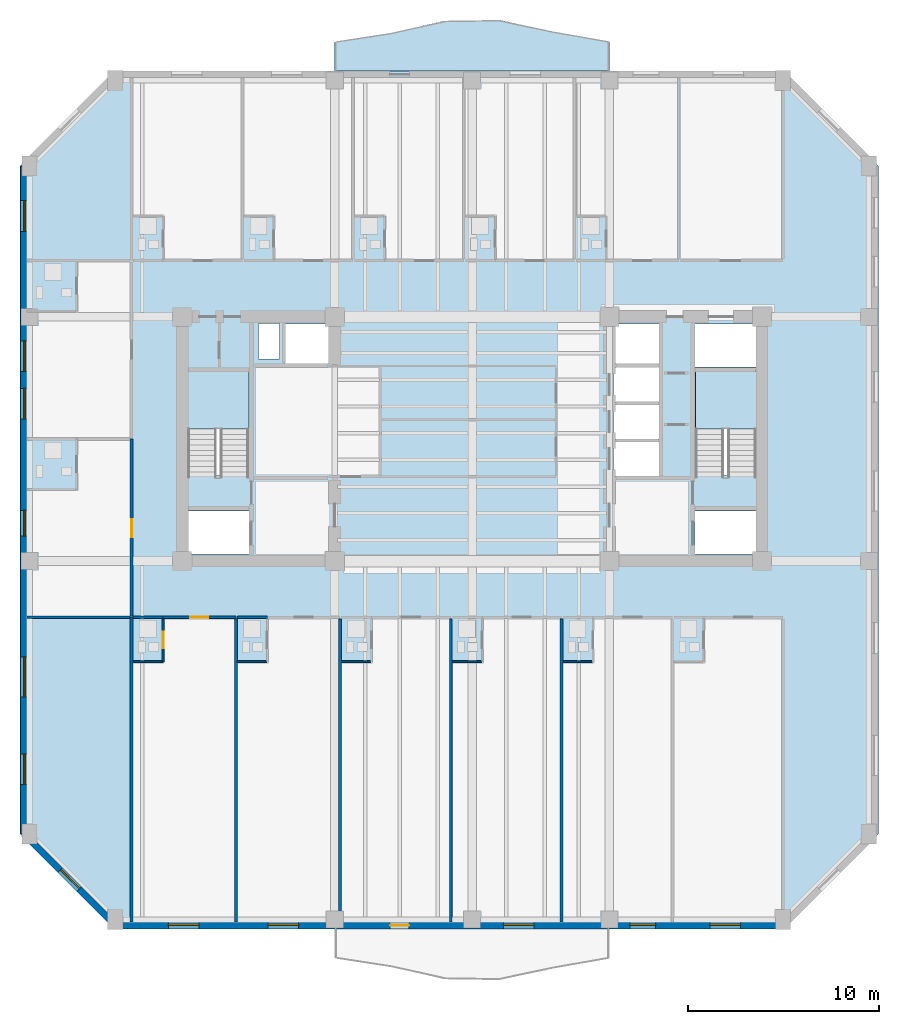
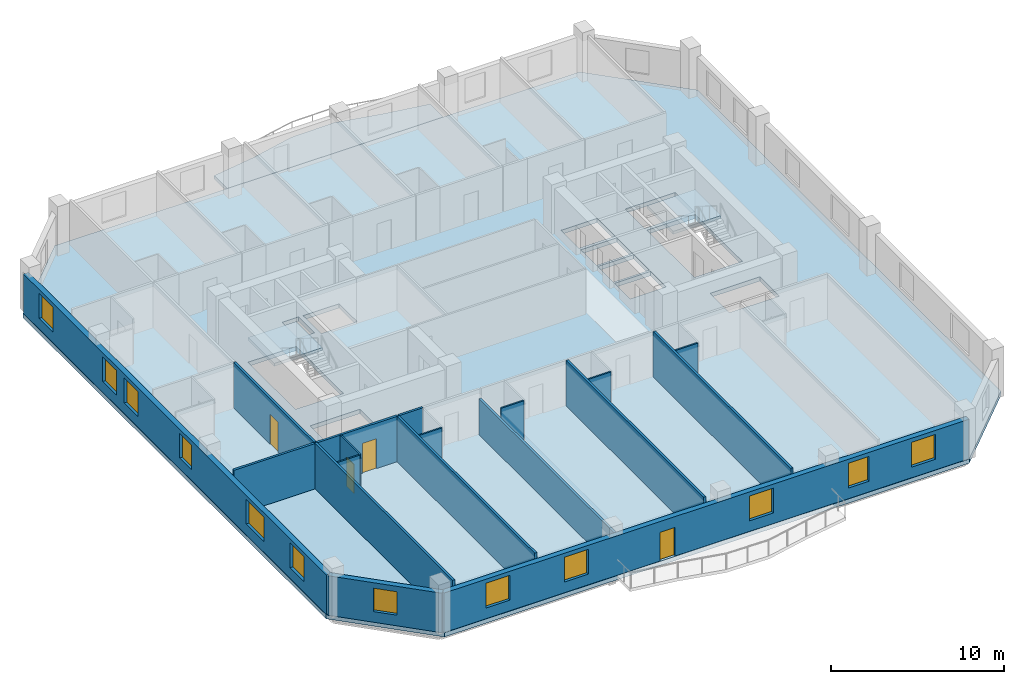
# One storey, part 2 of 11: 19 walls, 12 windows, 4 doors, 4 slabs, 16 openings, 2 elements without a shape of their own.
"""IFC4 building model written with IfcOpenShell, lengths in metres."""

from ifc_helpers import new_model, si_unit, direction, frame, frame_2d, origin, place, context, subcontext, project, spatial, polyline, rectangle, outline, extrude, material, layer, layer_set, type_object, element, fill, aggregate, save


model = new_model("IFC4")

# Units and contexts
model_context = context("Model", 3, precision=1e-05, world=origin(), true_north=direction((0.0, 1.0)))
body_context = subcontext(model_context, "Body", "Model", "MODEL_VIEW")
ifc_project = project(units=[si_unit("LENGTHUNIT", "METRE"), si_unit("AREAUNIT", "SQUARE_METRE"), si_unit("VOLUMEUNIT", "CUBIC_METRE"), si_unit("PLANEANGLEUNIT", "RADIAN"), si_unit("MASSUNIT", "GRAM", prefix="KILO")], contexts=[model_context])

# Site, building, storey
site_placement = place(None, origin())
site = spatial("IfcSite", under=ifc_project, at=site_placement, CompositionType="ELEMENT")
building_placement = place(site_placement, origin())
building = spatial("IfcBuilding", under=site, at=building_placement, Name="Kranthara Brick Stack", CompositionType="ELEMENT")
storey_placement = place(building_placement, frame((0.0, 0.0, 130.800048828125)))
storey = spatial("IfcBuildingStorey", under=building, at=storey_placement, Name="L32", CompositionType="ELEMENT", Elevation=130.800048828125)

# Slab
ifc_material_1 = material(Name="Concrete C45/55", Category="concrete")
ifc_layer_1 = layer(ifc_material_1, 0.219970703125)
ifc_layer_set_1 = layer_set([ifc_layer_1], Name="Concrete C45/55")
slab_type_1 = type_object("IfcSlabType", Name="SLB-BALC-220", PredefinedType="FLOOR", material=ifc_layer_set_1)
slab_1_placement = place(storey_placement, frame((0.0, 0.0, -0.219970703125)))
element("IfcSlab", 1, at=slab_1_placement, inside=storey, type_object=slab_type_1, Name="L32 North Rippling Balcony Slab", PredefinedType="FLOOR", context=body_context, shape_type="SweptSolid", body=[
    extrude(outline(polyline([(35.199951171875, 46.5), (20.800048828125, 46.5), (20.800048828125, 48.00341796875), (23.679931640625, 48.454833984375), (26.56005859375, 49.120361328125), (29.43994140625, 49.162841796875), (32.320068359375, 48.52880859375), (35.199951171875, 48.015869140625), (35.199951171875, 46.5)])), origin(), (0.0, 0.0, 1.0), 0.219970703125),
])

# Stair, slab
ifc_material_2 = material(Name="Concrete C45/55", Category="concrete")
stair_type = type_object("IfcStairType", Name="ST-CORE-20R", PredefinedType="HALF_TURN_STAIR", material=ifc_material_2)
stair_1_placement = place(storey_placement, origin())
stair_1 = element("IfcStair", 2, at=stair_1_placement, inside=storey, type_object=stair_type, Name="L32 West Core Protected Exit Stair ST01", PredefinedType="HALF_TURN_STAIR")
ifc_material_3 = material(Name="Concrete C45/55", Category="concrete")
ifc_layer_2 = layer(ifc_material_3, 0.199951171875)
ifc_layer_set_2 = layer_set([ifc_layer_2], Name="Concrete C45/55")
slab_type_2 = type_object("IfcSlabType", Name="SLB-LANDING-200", PredefinedType="LANDING", material=ifc_layer_set_2)
slab_2_placement = place(storey_placement, frame((0.0, 0.0, 1.550048828125)))
slab_2 = element("IfcSlab", 3, at=slab_2_placement, type_object=slab_type_2, Name="ST01 landing 1", PredefinedType="LANDING", context=body_context, shape_type="SweptSolid", body=[
    extrude(outline(polyline([(16.300048828125, 27.719970703125), (16.300048828125, 30.75), (13.10009765625, 30.75), (13.10009765625, 27.719970703125), (16.300048828125, 27.719970703125)])), origin(), (0.0, 0.0, 1.0), 0.199951171875),
])
aggregate(stair_1, [slab_2])

stair_2_placement = place(storey_placement, origin())
stair_2 = element("IfcStair", 4, at=stair_2_placement, inside=storey, type_object=stair_type, Name="L32 East Core Protected Exit Stair ST02", PredefinedType="HALF_TURN_STAIR")
slab_3_placement = place(storey_placement, frame((0.0, 0.0, 1.550048828125)))
slab_3 = element("IfcSlab", 5, at=slab_3_placement, type_object=slab_type_2, Name="ST02 landing 1", PredefinedType="LANDING", context=body_context, shape_type="SweptSolid", body=[
    extrude(outline(polyline([(42.89990234375, 27.719970703125), (42.89990234375, 30.75), (39.699951171875, 30.75), (39.699951171875, 27.719970703125), (42.89990234375, 27.719970703125)])), origin(), (0.0, 0.0, 1.0), 0.199951171875),
])
aggregate(stair_2, [slab_3])

# Slab
ifc_material_4 = material(Name="Post-tensioned concrete C45/55", Category="concrete")
ifc_layer_3 = layer(ifc_material_4, 0.300048828125)
ifc_layer_set_3 = layer_set([ifc_layer_3], Name="Post-tensioned concrete C45/55")
slab_type_3 = type_object("IfcSlabType", Name="SLB-TWR-300", PredefinedType="FLOOR", material=ifc_layer_set_3)
slab_4_placement = place(storey_placement, frame((0.0, 0.0, -0.300048828125)))
element("IfcSlab", 6, at=slab_4_placement, inside=storey, type_object=slab_type_3, Name="L32 Structural Floor Plate", PredefinedType="FLOOR", context=body_context, shape_type="SweptSolid", body=[
    extrude(outline(polyline([(9.300048828125, 1.5), (44.300048828125, 1.5), (49.300048828125, 6.5), (49.300048828125, 41.5), (44.300048828125, 46.5), (9.300048828125, 46.5), (4.300048828125, 41.5), (4.300048828125, 6.5), (9.300048828125, 1.5)]), holes=[polyline([(13.10009765625, 25.280029296875), (16.300048828125, 25.280029296875), (16.300048828125, 30.75), (13.10009765625, 30.75), (13.10009765625, 25.280029296875)]), polyline([(39.699951171875, 25.280029296875), (42.89990234375, 25.280029296875), (42.89990234375, 30.75), (39.699951171875, 30.75), (39.699951171875, 25.280029296875)]), polyline([(13.0, 21.179931640625), (16.320068359375, 21.179931640625), (16.320068359375, 23.419921875), (13.0, 23.419921875), (13.0, 21.179931640625)]), polyline([(39.679931640625, 21.179931640625), (43.0, 21.179931640625), (43.0, 23.419921875), (39.679931640625, 23.419921875), (39.679931640625, 21.179931640625)]), polyline([(39.679931640625, 30.97998046875), (43.0, 30.97998046875), (43.0, 33.219970703125), (39.679931640625, 33.219970703125), (39.679931640625, 30.97998046875)]), polyline([(35.39990234375, 25.25), (37.800048828125, 25.25), (37.800048828125, 27.050048828125), (35.39990234375, 27.050048828125), (35.39990234375, 25.25)]), polyline([(35.39990234375, 27.199951171875), (37.800048828125, 27.199951171875), (37.800048828125, 29.0), (35.39990234375, 29.0), (35.39990234375, 27.199951171875)]), polyline([(35.39990234375, 29.14990234375), (37.800048828125, 29.14990234375), (37.800048828125, 30.949951171875), (35.39990234375, 30.949951171875), (35.39990234375, 29.14990234375)]), polyline([(18.199951171875, 31.14990234375), (20.60009765625, 31.14990234375), (20.60009765625, 33.219970703125), (18.199951171875, 33.219970703125), (18.199951171875, 31.14990234375)]), polyline([(35.39990234375, 31.14990234375), (37.800048828125, 31.14990234375), (37.800048828125, 33.219970703125), (35.39990234375, 33.219970703125), (35.39990234375, 31.14990234375)]), polyline([(16.800048828125, 31.39990234375), (17.89990234375, 31.39990234375), (17.89990234375, 33.25), (16.800048828125, 33.25), (16.800048828125, 31.39990234375)])]), origin(), (0.0, 0.0, 1.0), 0.300048828125),
])

# Wall, openings, door, windows
ifc_material_5 = material(Name="Kiln-fired clay brick masonry M15", Category="masonry")
ifc_layer_4 = layer(ifc_material_5, 0.35009765625)
ifc_layer_set_4 = layer_set([ifc_layer_4], Name="Kiln-fired clay brick masonry M15")
wall_type_1 = type_object("IfcWallType", Name="WL-BRK-SPND-350", PredefinedType="STANDARD", material=ifc_layer_set_4)
wall_1_placement = place(storey_placement, frame((44.300048828125, 1.695068359375, 0.0), z_axis=(0.0, 0.0, 1.0), x_axis=(-1.0, 0.0, 0.0)))
wall_1 = element("IfcWall", 7, at=wall_1_placement, inside=storey, type_object=wall_type_1, Name="L32 Exterior Brick Facade Wall SOUTH 1", PredefinedType="STANDARD", context=body_context, shape_type="SweptSolid", body=[
    extrude(rectangle(XDim=35.0, YDim=0.35009765625, at=frame_2d((17.5, 0.0))), origin(), (0.0, 0.0, 1.0), 2.784912109375),
])
opening_1_placement = place(wall_1_placement, frame((19.60009765625, 0.0, 0.0)))
opening_1 = element("IfcOpeningElement", 8, at=opening_1_placement, cuts=wall_1, Name="Opening D03", PredefinedType="OPENING", context=body_context, shape_type="SweptSolid", body=[
    extrude(rectangle(XDim=1.0, YDim=2.02001953125, at=frame_2d((0.5, 1.010009765625))), frame((0.0, 0.18505859375, 0.0), z_axis=(0.0, -1.0, 0.0), x_axis=(1.0, 0.0, 0.0)), (0.0, 0.0, 1.0), 0.3701171875),
])
opening_2_placement = place(wall_1_placement, frame((2.239990234375, 0.0, 0.75)))
opening_2 = element("IfcOpeningElement", 9, at=opening_2_placement, cuts=wall_1, Name="Opening WN04", PredefinedType="OPENING", context=body_context, shape_type="SweptSolid", body=[
    extrude(rectangle(XDim=1.60009765625, YDim=1.75, at=frame_2d((0.800048828125, 0.875))), frame((0.0, 0.18505859375, 0.0), z_axis=(0.0, -1.0, 0.0), x_axis=(1.0, 0.0, 0.0)), (0.0, 0.0, 1.0), 0.3701171875),
])
opening_3_placement = place(wall_1_placement, frame((6.677978515625, 0.0, 0.75)))
opening_3 = element("IfcOpeningElement", 10, at=opening_3_placement, cuts=wall_1, Name="Opening WN06", PredefinedType="OPENING", context=body_context, shape_type="SweptSolid", body=[
    extrude(rectangle(XDim=1.35009765625, YDim=1.75, at=frame_2d((0.675048828125, 0.875))), frame((0.0, 0.18505859375, 0.0), z_axis=(0.0, -1.0, 0.0), x_axis=(1.0, 0.0, 0.0)), (0.0, 0.0, 1.0), 0.3701171875),
])
opening_4_placement = place(wall_1_placement, frame((13.054931640625, 0.0, 0.75)))
opening_4 = element("IfcOpeningElement", 11, at=opening_4_placement, cuts=wall_1, Name="Opening WN04", PredefinedType="OPENING", context=body_context, shape_type="SweptSolid", body=[
    extrude(rectangle(XDim=1.60009765625, YDim=1.75, at=frame_2d((0.800048828125, 0.875))), frame((0.0, 0.18505859375, 0.0), z_axis=(0.0, -1.0, 0.0), x_axis=(1.0, 0.0, 0.0)), (0.0, 0.0, 1.0), 0.3701171875),
])
opening_5_placement = place(wall_1_placement, frame((25.39306640625, 0.0, 0.75)))
opening_5 = element("IfcOpeningElement", 12, at=opening_5_placement, cuts=wall_1, Name="Opening WN04", PredefinedType="OPENING", context=body_context, shape_type="SweptSolid", body=[
    extrude(rectangle(XDim=1.60009765625, YDim=1.75, at=frame_2d((0.800048828125, 0.875))), frame((0.0, 0.18505859375, 0.0), z_axis=(0.0, -1.0, 0.0), x_axis=(1.0, 0.0, 0.0)), (0.0, 0.0, 1.0), 0.3701171875),
])
opening_6_placement = place(wall_1_placement, frame((30.617919921875, 0.0, 0.75)))
opening_6 = element("IfcOpeningElement", 13, at=opening_6_placement, cuts=wall_1, Name="Opening WN04", PredefinedType="OPENING", context=body_context, shape_type="SweptSolid", body=[
    extrude(rectangle(XDim=1.60009765625, YDim=1.75, at=frame_2d((0.800048828125, 0.875))), frame((0.0, 0.18505859375, 0.0), z_axis=(0.0, -1.0, 0.0), x_axis=(1.0, 0.0, 0.0)), (0.0, 0.0, 1.0), 0.3701171875),
])
ifc_material_6 = material(Name="Bronze anodised aluminium and laminated glass", Category="aluminium")
door_type_1 = type_object("IfcDoorType", Name="DR-BALC-1000", OperationType="NOTDEFINED", PredefinedType="DOOR", material=ifc_material_6)
door_1_placement = place(opening_1_placement, origin())
door_1 = element("IfcDoor", 14, at=door_1_placement, inside=storey, type_object=door_type_1, Name="L32 South Balcony Terrace Door", OperationType="SINGLE_SWING_LEFT", OverallHeight=2.02001953125, OverallWidth=1.0, PredefinedType="DOOR", context=body_context, shape_type="SweptSolid", body=[
    extrude(rectangle(XDim=1.0, YDim=2.02001953125, at=frame_2d((0.5, 1.010009765625))), frame((0.0, 0.02490234375, 0.0), z_axis=(0.0, -1.0, 0.0), x_axis=(1.0, 0.0, 0.0)), (0.0, 0.0, 1.0), 0.050048828125),
])
fill(opening_1, door_1)
ifc_material_7 = material(Name="Double-glazed low-E solar control glass", Category="glass")
window_type_1 = type_object("IfcWindowType", Name="WN-HTL-1350x1850", PartitioningType="SINGLE_PANEL", PredefinedType="WINDOW", material=ifc_material_7)
window_1_placement = place(opening_3_placement, origin())
window_1 = element("IfcWindow", 15, at=window_1_placement, inside=storey, type_object=window_type_1, Name="L32 South Deep-Set Brick Window 02", OverallHeight=1.75, OverallWidth=1.35009765625, PartitioningType="SINGLE_PANEL", PredefinedType="WINDOW", context=body_context, shape_type="SweptSolid", body=[
    extrude(rectangle(XDim=1.35009765625, YDim=1.75, at=frame_2d((0.675048828125, 0.875))), frame((0.0, -0.010009765625, 0.0), z_axis=(0.0, -1.0, 0.0), x_axis=(1.0, 0.0, 0.0)), (0.0, 0.0, 1.0), 0.06005859375),
])
fill(opening_3, window_1)
ifc_material_8 = material(Name="Double-glazed low-E solar control glass", Category="glass")
window_type_2 = type_object("IfcWindowType", Name="WN-HTL-1600x1850", PartitioningType="DOUBLE_PANEL_VERTICAL", PredefinedType="WINDOW", material=ifc_material_8)
window_2_placement = place(opening_2_placement, origin())
window_2 = element("IfcWindow", 16, at=window_2_placement, inside=storey, type_object=window_type_2, Name="L32 South Deep-Set Brick Window 01", OverallHeight=1.75, OverallWidth=1.60009765625, PartitioningType="SINGLE_PANEL", PredefinedType="WINDOW", context=body_context, shape_type="SweptSolid", body=[
    extrude(rectangle(XDim=1.60009765625, YDim=1.75, at=frame_2d((0.800048828125, 0.875))), frame((0.0, -0.010009765625, 0.0), z_axis=(0.0, -1.0, 0.0), x_axis=(1.0, 0.0, 0.0)), (0.0, 0.0, 1.0), 0.06005859375),
])
fill(opening_2, window_2)
window_3_placement = place(opening_4_placement, origin())
window_3 = element("IfcWindow", 17, at=window_3_placement, inside=storey, type_object=window_type_2, Name="L32 South Deep-Set Brick Window 03", OverallHeight=1.75, OverallWidth=1.60009765625, PartitioningType="SINGLE_PANEL", PredefinedType="WINDOW", context=body_context, shape_type="SweptSolid", body=[
    extrude(rectangle(XDim=1.60009765625, YDim=1.75, at=frame_2d((0.800048828125, 0.875))), frame((0.0, -0.010009765625, 0.0), z_axis=(0.0, -1.0, 0.0), x_axis=(1.0, 0.0, 0.0)), (0.0, 0.0, 1.0), 0.06005859375),
])
fill(opening_4, window_3)
window_4_placement = place(opening_5_placement, origin())
window_4 = element("IfcWindow", 18, at=window_4_placement, inside=storey, type_object=window_type_2, Name="L32 South Deep-Set Brick Window 04", OverallHeight=1.75, OverallWidth=1.60009765625, PartitioningType="SINGLE_PANEL", PredefinedType="WINDOW", context=body_context, shape_type="SweptSolid", body=[
    extrude(rectangle(XDim=1.60009765625, YDim=1.75, at=frame_2d((0.800048828125, 0.875))), frame((0.0, -0.010009765625, 0.0), z_axis=(0.0, -1.0, 0.0), x_axis=(1.0, 0.0, 0.0)), (0.0, 0.0, 1.0), 0.06005859375),
])
fill(opening_5, window_4)
window_5_placement = place(opening_6_placement, origin())
window_5 = element("IfcWindow", 19, at=window_5_placement, inside=storey, type_object=window_type_2, Name="L32 South Deep-Set Brick Window 05", OverallHeight=1.75, OverallWidth=1.60009765625, PartitioningType="SINGLE_PANEL", PredefinedType="WINDOW", context=body_context, shape_type="SweptSolid", body=[
    extrude(rectangle(XDim=1.60009765625, YDim=1.75, at=frame_2d((0.800048828125, 0.875))), frame((0.0, -0.010009765625, 0.0), z_axis=(0.0, -1.0, 0.0), x_axis=(1.0, 0.0, 0.0)), (0.0, 0.0, 1.0), 0.06005859375),
])
fill(opening_6, window_5)

# Wall, opening, window
wall_2_placement = place(storey_placement, frame((9.300048828125, 1.695068359375, 0.0), z_axis=(0.0, 0.0, 1.0), x_axis=(-0.707106781187, 0.707106781187, 0.0)))
wall_2 = element("IfcWall", 20, at=wall_2_placement, inside=storey, type_object=wall_type_1, Name="L32 Exterior Brick Facade Wall SW 1", PredefinedType="STANDARD", context=body_context, shape_type="SweptSolid", body=[
    extrude(rectangle(XDim=6.795166015625, YDim=0.35009765625, at=frame_2d((3.3974609375, 0.0))), origin(), (0.0, 0.0, 1.0), 2.784912109375),
])
opening_7_placement = place(wall_2_placement, frame((2.697998046875, 0.0, 0.75)))
opening_7 = element("IfcOpeningElement", 21, at=opening_7_placement, cuts=wall_2, Name="Opening WN10", PredefinedType="OPENING", context=body_context, shape_type="SweptSolid", body=[
    extrude(rectangle(XDim=1.39990234375, YDim=1.64990234375, at=frame_2d((0.699951171875, 0.824951171875))), frame((0.0, 0.18505859375, 0.0), z_axis=(0.0, -1.0, 0.0), x_axis=(1.0, 0.0, 0.0)), (0.0, 0.0, 1.0), 0.3701171875),
])
ifc_material_9 = material(Name="Double-glazed low-E solar control glass", Category="glass")
window_type_3 = type_object("IfcWindowType", Name="WN-CHM-1400x1750", PartitioningType="SINGLE_PANEL", PredefinedType="WINDOW", material=ifc_material_9)
window_6_placement = place(opening_7_placement, origin())
window_6 = element("IfcWindow", 22, at=window_6_placement, inside=storey, type_object=window_type_3, Name="L32 SW Chamfer Corner Window", OverallHeight=1.64990234375, OverallWidth=1.39990234375, PartitioningType="SINGLE_PANEL", PredefinedType="WINDOW", context=body_context, shape_type="SweptSolid", body=[
    extrude(rectangle(XDim=1.39990234375, YDim=1.64990234375, at=frame_2d((0.699951171875, 0.824951171875))), frame((0.0, -0.010009765625, 0.0), z_axis=(0.0, -1.0, 0.0), x_axis=(1.0, 0.0, 0.0)), (0.0, 0.0, 1.0), 0.06005859375),
])
fill(opening_7, window_6)

# Wall, openings, windows
wall_3_placement = place(storey_placement, frame((4.4951171875, 6.5, 0.0), z_axis=(0.0, 0.0, 1.0), x_axis=(0.0, 1.0, 0.0)))
wall_3 = element("IfcWall", 23, at=wall_3_placement, inside=storey, type_object=wall_type_1, Name="L32 Exterior Brick Facade Wall WEST 1", PredefinedType="STANDARD", context=body_context, shape_type="SweptSolid", body=[
    extrude(rectangle(XDim=35.0, YDim=0.35009765625, at=frame_2d((17.5, 0.0))), origin(), (0.0, 0.0, 1.0), 2.784912109375),
])
opening_8_placement = place(wall_3_placement, frame((2.594970703125, 0.0, 0.75)))
opening_8 = element("IfcOpeningElement", 24, at=opening_8_placement, cuts=wall_3, Name="Opening WN04", PredefinedType="OPENING", context=body_context, shape_type="SweptSolid", body=[
    extrude(rectangle(XDim=1.60009765625, YDim=1.75, at=frame_2d((0.800048828125, 0.875))), frame((0.0, 0.18505859375, 0.0), z_axis=(0.0, -1.0, 0.0), x_axis=(1.0, 0.0, 0.0)), (0.0, 0.0, 1.0), 0.3701171875),
])
opening_9_placement = place(wall_3_placement, frame((7.180908203125, 0.0, 0.75)))
opening_9 = element("IfcOpeningElement", 25, at=opening_9_placement, cuts=wall_3, Name="Opening WN05", PredefinedType="OPENING", context=body_context, shape_type="SweptSolid", body=[
    extrude(rectangle(XDim=2.10009765625, YDim=1.75, at=frame_2d((1.050048828125, 0.875))), frame((0.0, 0.18505859375, 0.0), z_axis=(0.0, -1.0, 0.0), x_axis=(1.0, 0.0, 0.0)), (0.0, 0.0, 1.0), 0.3701171875),
])
opening_10_placement = place(wall_3_placement, frame((15.60009765625, 0.0, 0.75)))
opening_10 = element("IfcOpeningElement", 26, at=opening_10_placement, cuts=wall_3, Name="Opening WN06", PredefinedType="OPENING", context=body_context, shape_type="SweptSolid", body=[
    extrude(rectangle(XDim=1.35009765625, YDim=1.75, at=frame_2d((0.675048828125, 0.875))), frame((0.0, 0.18505859375, 0.0), z_axis=(0.0, -1.0, 0.0), x_axis=(1.0, 0.0, 0.0)), (0.0, 0.0, 1.0), 0.3701171875),
])
opening_11_placement = place(wall_3_placement, frame((21.751953125, 0.0, 0.75)))
opening_11 = element("IfcOpeningElement", 27, at=opening_11_placement, cuts=wall_3, Name="Opening WN04", PredefinedType="OPENING", context=body_context, shape_type="SweptSolid", body=[
    extrude(rectangle(XDim=1.60009765625, YDim=1.75, at=frame_2d((0.800048828125, 0.875))), frame((0.0, 0.18505859375, 0.0), z_axis=(0.0, -1.0, 0.0), x_axis=(1.0, 0.0, 0.0)), (0.0, 0.0, 1.0), 0.3701171875),
])
opening_12_placement = place(wall_3_placement, frame((24.248046875, 0.0, 0.75)))
opening_12 = element("IfcOpeningElement", 28, at=opening_12_placement, cuts=wall_3, Name="Opening WN04", PredefinedType="OPENING", context=body_context, shape_type="SweptSolid", body=[
    extrude(rectangle(XDim=1.60009765625, YDim=1.75, at=frame_2d((0.800048828125, 0.875))), frame((0.0, 0.18505859375, 0.0), z_axis=(0.0, -1.0, 0.0), x_axis=(1.0, 0.0, 0.0)), (0.0, 0.0, 1.0), 0.3701171875),
])
opening_13_placement = place(wall_3_placement, frame((31.587890625, 0.0, 0.75)))
opening_13 = element("IfcOpeningElement", 29, at=opening_13_placement, cuts=wall_3, Name="Opening WN04", PredefinedType="OPENING", context=body_context, shape_type="SweptSolid", body=[
    extrude(rectangle(XDim=1.60009765625, YDim=1.75, at=frame_2d((0.800048828125, 0.875))), frame((0.0, 0.18505859375, 0.0), z_axis=(0.0, -1.0, 0.0), x_axis=(1.0, 0.0, 0.0)), (0.0, 0.0, 1.0), 0.3701171875),
])
window_7_placement = place(opening_10_placement, origin())
window_7 = element("IfcWindow", 30, at=window_7_placement, inside=storey, type_object=window_type_1, Name="L32 West Deep-Set Brick Window 03", OverallHeight=1.75, OverallWidth=1.35009765625, PartitioningType="SINGLE_PANEL", PredefinedType="WINDOW", context=body_context, shape_type="SweptSolid", body=[
    extrude(rectangle(XDim=1.35009765625, YDim=1.75, at=frame_2d((0.675048828125, 0.875))), frame((0.0, -0.010009765625, 0.0), z_axis=(0.0, -1.0, 0.0), x_axis=(1.0, 0.0, 0.0)), (0.0, 0.0, 1.0), 0.06005859375),
])
fill(opening_10, window_7)
window_8_placement = place(opening_8_placement, origin())
window_8 = element("IfcWindow", 31, at=window_8_placement, inside=storey, type_object=window_type_2, Name="L32 West Deep-Set Brick Window 01", OverallHeight=1.75, OverallWidth=1.60009765625, PartitioningType="SINGLE_PANEL", PredefinedType="WINDOW", context=body_context, shape_type="SweptSolid", body=[
    extrude(rectangle(XDim=1.60009765625, YDim=1.75, at=frame_2d((0.800048828125, 0.875))), frame((0.0, -0.010009765625, 0.0), z_axis=(0.0, -1.0, 0.0), x_axis=(1.0, 0.0, 0.0)), (0.0, 0.0, 1.0), 0.06005859375),
])
fill(opening_8, window_8)
window_9_placement = place(opening_11_placement, origin())
window_9 = element("IfcWindow", 32, at=window_9_placement, inside=storey, type_object=window_type_2, Name="L32 West Deep-Set Brick Window 04", OverallHeight=1.75, OverallWidth=1.60009765625, PartitioningType="SINGLE_PANEL", PredefinedType="WINDOW", context=body_context, shape_type="SweptSolid", body=[
    extrude(rectangle(XDim=1.60009765625, YDim=1.75, at=frame_2d((0.800048828125, 0.875))), frame((0.0, -0.010009765625, 0.0), z_axis=(0.0, -1.0, 0.0), x_axis=(1.0, 0.0, 0.0)), (0.0, 0.0, 1.0), 0.06005859375),
])
fill(opening_11, window_9)
window_10_placement = place(opening_12_placement, origin())
window_10 = element("IfcWindow", 33, at=window_10_placement, inside=storey, type_object=window_type_2, Name="L32 West Deep-Set Brick Window 05", OverallHeight=1.75, OverallWidth=1.60009765625, PartitioningType="SINGLE_PANEL", PredefinedType="WINDOW", context=body_context, shape_type="SweptSolid", body=[
    extrude(rectangle(XDim=1.60009765625, YDim=1.75, at=frame_2d((0.800048828125, 0.875))), frame((0.0, -0.010009765625, 0.0), z_axis=(0.0, -1.0, 0.0), x_axis=(1.0, 0.0, 0.0)), (0.0, 0.0, 1.0), 0.06005859375),
])
fill(opening_12, window_10)
window_11_placement = place(opening_13_placement, origin())
window_11 = element("IfcWindow", 34, at=window_11_placement, inside=storey, type_object=window_type_2, Name="L32 West Deep-Set Brick Window 06", OverallHeight=1.75, OverallWidth=1.60009765625, PartitioningType="SINGLE_PANEL", PredefinedType="WINDOW", context=body_context, shape_type="SweptSolid", body=[
    extrude(rectangle(XDim=1.60009765625, YDim=1.75, at=frame_2d((0.800048828125, 0.875))), frame((0.0, -0.010009765625, 0.0), z_axis=(0.0, -1.0, 0.0), x_axis=(1.0, 0.0, 0.0)), (0.0, 0.0, 1.0), 0.06005859375),
])
fill(opening_13, window_11)
ifc_material_10 = material(Name="Double-glazed low-E solar control glass", Category="glass")
window_type_4 = type_object("IfcWindowType", Name="WN-HTL-2100x1850", PartitioningType="DOUBLE_PANEL_VERTICAL", PredefinedType="WINDOW", material=ifc_material_10)
window_12_placement = place(opening_9_placement, origin())
window_12 = element("IfcWindow", 35, at=window_12_placement, inside=storey, type_object=window_type_4, Name="L32 West Deep-Set Brick Window 02", OverallHeight=1.75, OverallWidth=2.10009765625, PartitioningType="SINGLE_PANEL", PredefinedType="WINDOW", context=body_context, shape_type="SweptSolid", body=[
    extrude(rectangle(XDim=2.10009765625, YDim=1.75, at=frame_2d((1.050048828125, 0.875))), frame((0.0, -0.010009765625, 0.0), z_axis=(0.0, -1.0, 0.0), x_axis=(1.0, 0.0, 0.0)), (0.0, 0.0, 1.0), 0.06005859375),
])
fill(opening_9, window_12)

# Wall, opening, door
ifc_material_11 = material(Name="Moisture-resistant wet-room partition", Category="other")
ifc_layer_5 = layer(ifc_material_11, 0.10009765625)
ifc_layer_set_5 = layer_set([ifc_layer_5], Name="Moisture-resistant wet-room partition")
wall_type_2 = type_object("IfcWallType", Name="WL-PART-100", PredefinedType="PARTITIONING", material=ifc_layer_set_5)
wall_4_placement = place(storey_placement, frame((11.800048828125, 15.52001953125, 0.0), z_axis=(0.0, 0.0, 1.0), x_axis=(0.0, 1.0, 0.0)))
wall_4 = element("IfcWall", 36, at=wall_4_placement, inside=storey, type_object=wall_type_2, Name="L32 Interior Partition 012", PredefinedType="PARTITIONING", context=body_context, shape_type="SweptSolid", body=[
    extrude(rectangle(XDim=2.25, YDim=0.10009765625, at=frame_2d((1.125, 0.0))), origin(), (0.0, 0.0, 1.0), 3.199951171875),
])
opening_14_placement = place(wall_4_placement, frame((0.719970703125, 0.0, 0.0)))
opening_14 = element("IfcOpeningElement", 37, at=opening_14_placement, cuts=wall_4, Name="Opening D17", PredefinedType="OPENING", context=body_context, shape_type="SweptSolid", body=[
    extrude(rectangle(XDim=0.85009765625, YDim=2.050048828125, at=frame_2d((0.425048828125, 1.02490234375))), frame((0.0, 0.06005859375, 0.0), z_axis=(0.0, -1.0, 0.0), x_axis=(1.0, 0.0, 0.0)), (0.0, 0.0, 1.0), 0.1201171875),
])
ifc_material_12 = material(Name="Solid-core hardwood timber leaf in steel frame", Category="steel")
door_type_2 = type_object("IfcDoorType", Name="DR-WET-850", OperationType="NOTDEFINED", PredefinedType="DOOR", material=ifc_material_12)
door_2_placement = place(opening_14_placement, origin())
door_2 = element("IfcDoor", 38, at=door_2_placement, inside=storey, type_object=door_type_2, Name="L32 Key 01 En-Suite Door 07", OperationType="SINGLE_SWING_LEFT", OverallHeight=2.050048828125, OverallWidth=0.85009765625, PredefinedType="DOOR", context=body_context, shape_type="SweptSolid", body=[
    extrude(rectangle(XDim=0.85009765625, YDim=2.050048828125, at=frame_2d((0.425048828125, 1.02490234375))), frame((0.0, 0.02490234375, 0.0), z_axis=(0.0, -1.0, 0.0), x_axis=(1.0, 0.0, 0.0)), (0.0, 0.0, 1.0), 0.050048828125),
])
fill(opening_14, door_2)

# Walls
wall_5_placement = place(storey_placement, frame((10.22998046875, 15.52001953125, 0.0), z_axis=(0.0, 0.0, 1.0), x_axis=(1.0, 0.0, 0.0)))
element("IfcWall", 39, at=wall_5_placement, inside=storey, type_object=wall_type_2, Name="L32 Interior Partition 013", PredefinedType="PARTITIONING", context=body_context, shape_type="SweptSolid", body=[
    extrude(rectangle(XDim=1.51513671875, YDim=0.10009765625, at=frame_2d((0.757568359375, 0.0))), origin(), (0.0, 0.0, 1.0), 3.199951171875),
])
wall_6_placement = place(storey_placement, frame((15.694091796875, 15.52001953125, 0.0), z_axis=(0.0, 0.0, 1.0), x_axis=(1.0, 0.0, 0.0)))
element("IfcWall", 40, at=wall_6_placement, inside=storey, type_object=wall_type_2, Name="L32 Interior Partition 018", PredefinedType="PARTITIONING", context=body_context, shape_type="SweptSolid", body=[
    extrude(rectangle(XDim=1.514892578125, YDim=0.10009765625, at=frame_2d((0.75732421875, 0.0))), origin(), (0.0, 0.0, 1.0), 3.199951171875),
])
for number, where, z_axis, x_axis, name in (
    (41, (21.157958984375, 15.52001953125, 0.0), (0.0, 0.0, 1.0), (1.0, 0.0, 0.0), "L32 Interior Partition 023"),
    (42, (26.962890625, 15.52001953125, 0.0), (0.0, 0.0, 1.0), (1.0, 0.0, 0.0), "L32 Interior Partition 028"),
):
    element("IfcWall", number, at=place(storey_placement, frame(where, z_axis=z_axis, x_axis=x_axis)), inside=storey, type_object=wall_type_2, Name=name, PredefinedType="PARTITIONING", context=body_context, shape_type="SweptSolid", body=[
        extrude(rectangle(XDim=1.51513671875, YDim=0.10009765625, at=frame_2d((0.757568359375, 0.0))), origin(), (0.0, 0.0, 1.0), 3.199951171875),
    ])
wall_7_placement = place(storey_placement, frame((32.76904296875, 15.52001953125, 0.0), z_axis=(0.0, 0.0, 1.0), x_axis=(1.0, 0.0, 0.0)))
element("IfcWall", 43, at=wall_7_placement, inside=storey, type_object=wall_type_2, Name="L32 Interior Partition 033", PredefinedType="PARTITIONING", context=body_context, shape_type="SweptSolid", body=[
    extrude(rectangle(XDim=1.514892578125, YDim=0.10009765625, at=frame_2d((0.75732421875, 0.0))), origin(), (0.0, 0.0, 1.0), 3.199951171875),
])
ifc_material_13 = material(Name="Fire-rated gypsum board partition", Category="other")
ifc_layer_6 = layer(ifc_material_13, 0.14990234375)
ifc_layer_set_6 = layer_set([ifc_layer_6], Name="Fire-rated gypsum board partition")
wall_type_3 = type_object("IfcWallType", Name="WL-PART-150", PredefinedType="PARTITIONING", material=ifc_layer_set_6)
wall_8_placement = place(storey_placement, frame((10.14990234375, 1.875, 0.0), z_axis=(0.0, 0.0, 1.0), x_axis=(0.0, 1.0, 0.0)))
element("IfcWall", 44, at=wall_8_placement, inside=storey, type_object=wall_type_3, Name="L32 Interior Partition 009", PredefinedType="PARTITIONING", context=body_context, shape_type="SweptSolid", body=[
    extrude(rectangle(XDim=15.97509765625, YDim=0.14990234375, at=frame_2d((7.987548828125, 0.0))), origin(), (0.0, 0.0, 1.0), 3.199951171875),
])
wall_9_placement = place(storey_placement, frame((10.22998046875, 17.85009765625, 0.0), z_axis=(0.0, 0.0, 1.0), x_axis=(1.0, 0.0, 0.0)))
element("IfcWall", 45, at=wall_9_placement, inside=storey, type_object=wall_type_3, Name="L32 Interior Partition 010", PredefinedType="PARTITIONING", context=body_context, shape_type="SweptSolid", body=[
    extrude(rectangle(XDim=1.570068359375, YDim=0.14990234375, at=frame_2d((0.78515625, 0.0))), origin(), (0.0, 0.0, 1.0), 3.199951171875),
])

# Wall, opening, door
wall_10_placement = place(storey_placement, frame((11.800048828125, 17.85009765625, 0.0), z_axis=(0.0, 0.0, 1.0), x_axis=(1.0, 0.0, 0.0)))
wall_10 = element("IfcWall", 46, at=wall_10_placement, inside=storey, type_object=wall_type_3, Name="L32 Interior Partition 011", PredefinedType="PARTITIONING", context=body_context, shape_type="SweptSolid", body=[
    extrude(rectangle(XDim=3.81396484375, YDim=0.14990234375, at=frame_2d((1.906982421875, 0.0))), origin(), (0.0, 0.0, 1.0), 3.199951171875),
])
opening_15_placement = place(wall_10_placement, frame((1.427001953125, 0.0, 0.0)))
opening_15 = element("IfcOpeningElement", 47, at=opening_15_placement, cuts=wall_10, Name="Opening D09", PredefinedType="OPENING", context=body_context, shape_type="SweptSolid", body=[
    extrude(rectangle(XDim=0.949951171875, YDim=2.10009765625, at=frame_2d((0.47509765625, 1.050048828125))), frame((0.0, 0.0849609375, 0.0), z_axis=(0.0, -1.0, 0.0), x_axis=(1.0, 0.0, 0.0)), (0.0, 0.0, 1.0), 0.169921875),
])
ifc_material_14 = material(Name="Solid-core hardwood timber leaf in steel frame", Category="steel")
door_type_3 = type_object("IfcDoorType", Name="DR-FD-950", OperationType="NOTDEFINED", PredefinedType="DOOR", material=ifc_material_14)
door_3_placement = place(opening_15_placement, origin())
door_3 = element("IfcDoor", 48, at=door_3_placement, inside=storey, type_object=door_type_3, Name="L32 Key 01 Entry 08", OperationType="SINGLE_SWING_RIGHT", OverallHeight=2.10009765625, OverallWidth=0.949951171875, PredefinedType="DOOR", context=body_context, shape_type="SweptSolid", body=[
    extrude(rectangle(XDim=0.949951171875, YDim=2.10009765625, at=frame_2d((0.47509765625, 1.050048828125))), frame((0.0, 0.02490234375, 0.0), z_axis=(0.0, -1.0, 0.0), x_axis=(1.0, 0.0, 0.0)), (0.0, 0.0, 1.0), 0.050048828125),
])
fill(opening_15, door_3)

# Walls
wall_11_placement = place(storey_placement, frame((15.614013671875, 1.875, 0.0), z_axis=(0.0, 0.0, 1.0), x_axis=(0.0, 1.0, 0.0)))
element("IfcWall", 49, at=wall_11_placement, inside=storey, type_object=wall_type_3, Name="L32 Interior Partition 014", PredefinedType="PARTITIONING", context=body_context, shape_type="SweptSolid", body=[
    extrude(rectangle(XDim=15.89501953125, YDim=0.14990234375, at=frame_2d((7.947509765625, 0.0))), origin(), (0.0, 0.0, 1.0), 3.199951171875),
])
wall_12_placement = place(storey_placement, frame((15.694091796875, 17.85009765625, 0.0), z_axis=(0.0, 0.0, 1.0), x_axis=(1.0, 0.0, 0.0)))
element("IfcWall", 50, at=wall_12_placement, inside=storey, type_object=wall_type_3, Name="L32 Interior Partition 015", PredefinedType="PARTITIONING", context=body_context, shape_type="SweptSolid", body=[
    extrude(rectangle(XDim=1.56982421875, YDim=0.14990234375, at=frame_2d((0.784912109375, 0.0))), origin(), (0.0, 0.0, 1.0), 3.199951171875),
])
wall_13_placement = place(storey_placement, frame((21.077880859375, 1.875, 0.0), z_axis=(0.0, 0.0, 1.0), x_axis=(0.0, 1.0, 0.0)))
element("IfcWall", 51, at=wall_13_placement, inside=storey, type_object=wall_type_3, Name="L32 Interior Partition 019", PredefinedType="PARTITIONING", context=body_context, shape_type="SweptSolid", body=[
    extrude(rectangle(XDim=15.89501953125, YDim=0.14990234375, at=frame_2d((7.947509765625, 0.0))), origin(), (0.0, 0.0, 1.0), 2.534912109375),
])
for number, where, z_axis, x_axis, name in (
    (52, (26.883056640625, 1.875, 0.0), (0.0, 0.0, 1.0), (0.0, 1.0, 0.0), "L32 Interior Partition 024"),
    (53, (32.68896484375, 1.875, 0.0), (0.0, 0.0, 1.0), (0.0, 1.0, 0.0), "L32 Interior Partition 029"),
):
    element("IfcWall", number, at=place(storey_placement, frame(where, z_axis=z_axis, x_axis=x_axis)), inside=storey, type_object=wall_type_3, Name=name, PredefinedType="PARTITIONING", context=body_context, shape_type="SweptSolid", body=[
        extrude(rectangle(XDim=15.89501953125, YDim=0.14990234375, at=frame_2d((7.947509765625, 0.0))), origin(), (0.0, 0.0, 1.0), 3.199951171875),
    ])
wall_14_placement = place(storey_placement, frame((4.675048828125, 17.85009765625, 0.0), z_axis=(0.0, 0.0, 1.0), x_axis=(1.0, 0.0, 0.0)))
element("IfcWall", 54, at=wall_14_placement, inside=storey, type_object=wall_type_3, Name="L32 Interior Partition 068", PredefinedType="PARTITIONING", context=body_context, shape_type="SweptSolid", body=[
    extrude(rectangle(XDim=5.39501953125, YDim=0.14990234375, at=frame_2d((2.697509765625, 0.0))), origin(), (0.0, 0.0, 1.0), 3.199951171875),
])

# Wall, opening, door
wall_15_placement = place(storey_placement, frame((10.14990234375, 17.929931640625, 0.0), z_axis=(0.0, 0.0, 1.0), x_axis=(0.0, 1.0, 0.0)))
wall_15 = element("IfcWall", 55, at=wall_15_placement, inside=storey, type_object=wall_type_3, Name="L32 Interior Partition 070", PredefinedType="PARTITIONING", context=body_context, shape_type="SweptSolid", body=[
    extrude(rectangle(XDim=9.27001953125, YDim=0.14990234375, at=frame_2d((4.635009765625, 0.0))), origin(), (0.0, 0.0, 1.0), 3.199951171875),
])
opening_16_placement = place(wall_15_placement, frame((4.114990234375, 0.0, 0.0)))
opening_16 = element("IfcOpeningElement", 56, at=opening_16_placement, cuts=wall_15, Name="Opening D09", PredefinedType="OPENING", context=body_context, shape_type="SweptSolid", body=[
    extrude(rectangle(XDim=0.949951171875, YDim=2.10009765625, at=frame_2d((0.47509765625, 1.050048828125))), frame((0.0, 0.0849609375, 0.0), z_axis=(0.0, -1.0, 0.0), x_axis=(1.0, 0.0, 0.0)), (0.0, 0.0, 1.0), 0.169921875),
])
door_4_placement = place(opening_16_placement, origin())
door_4 = element("IfcDoor", 57, at=door_4_placement, inside=storey, type_object=door_type_3, Name="L32 West Key 13 31", OperationType="SINGLE_SWING_LEFT", OverallHeight=2.10009765625, OverallWidth=0.949951171875, PredefinedType="DOOR", context=body_context, shape_type="SweptSolid", body=[
    extrude(rectangle(XDim=0.949951171875, YDim=2.10009765625, at=frame_2d((0.47509765625, 1.050048828125))), frame((0.0, 0.02490234375, 0.0), z_axis=(0.0, -1.0, 0.0), x_axis=(1.0, 0.0, 0.0)), (0.0, 0.0, 1.0), 0.050048828125),
])
fill(opening_16, door_4)

save(model, "model.ifc")
